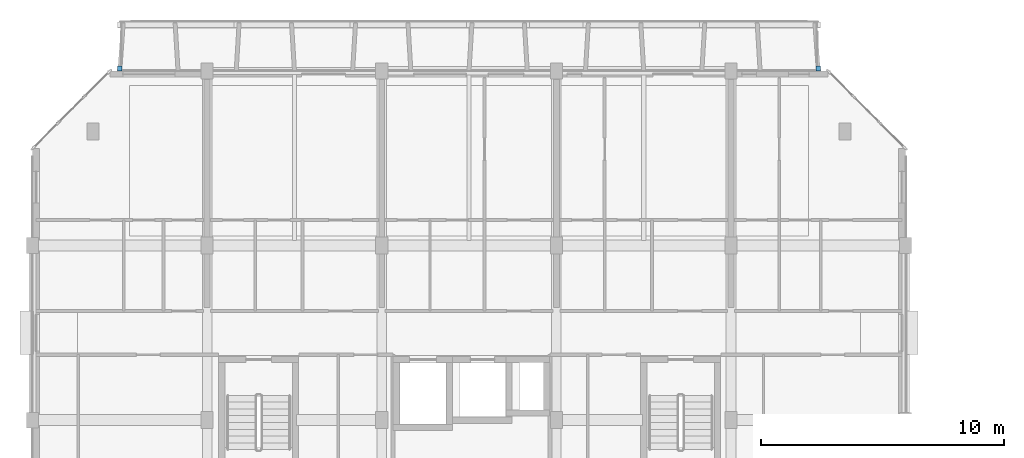
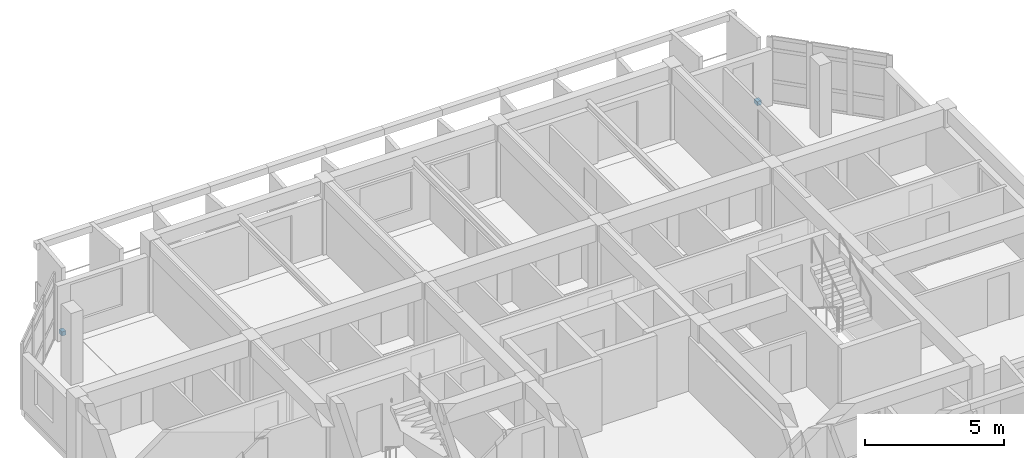
# One storey, part 38 of 51: 2 discrete accessories.
"""IFC4 building model written with IfcOpenShell, lengths in metres."""

from ifc_helpers import new_model, si_unit, direction, frame, origin, origin_2d, place, context, subcontext, project, spatial, rectangle, extrude, material, type_object, element, save


model = new_model("IFC4")

# Units and contexts
model_context = context("Model", 3, precision=1e-05, world=origin(), true_north=direction((0.0, 1.0)))
body_context = subcontext(model_context, "Body", "Model", "MODEL_VIEW")
ifc_project = project(units=[si_unit("LENGTHUNIT", "METRE"), si_unit("AREAUNIT", "SQUARE_METRE"), si_unit("VOLUMEUNIT", "CUBIC_METRE"), si_unit("PLANEANGLEUNIT", "RADIAN"), si_unit("MASSUNIT", "GRAM", prefix="KILO")], contexts=[model_context])

# Site, building, storey
site_placement = place(None, origin())
site = spatial("IfcSite", under=ifc_project, at=site_placement, CompositionType="ELEMENT")
building_placement = place(site_placement, origin())
building = spatial("IfcBuilding", under=site, at=building_placement, Name="Ochrevale Crest", CompositionType="ELEMENT")
storey_placement = place(building_placement, frame((0.0, 0.0, 11.85009765625)))
storey = spatial("IfcBuildingStorey", under=building, at=storey_placement, Name="L03", CompositionType="ELEMENT", Elevation=11.85009765625)

# Discrete accessories
ifc_material = material(Name="Galvanised steel", Category="steel")
discrete_accessory_type = type_object("IfcDiscreteAccessoryType", Name="ACC-BRK-HC", PredefinedType="BRACKET", material=ifc_material)
for number, where, z_axis, x_axis, name in (
    (1, (3.60009765625, 93.699951171875, 0.0), (0.0, 0.0, 1.0), (1.0, 0.0, 0.0), "Block B L03 precast loggia corbel bracket"),
    (2, (32.39990234375, 93.699951171875, 0.0), (0.0, 0.0, 1.0), (1.0, 0.0, 0.0), "Block B L03 precast loggia corbel bracket"),
):
    element("IfcDiscreteAccessory", number, at=place(storey_placement, frame(where, z_axis=z_axis, x_axis=x_axis)), inside=storey, type_object=discrete_accessory_type, Name=name, PredefinedType="BRACKET", context=body_context, shape_type="SweptSolid", body=[
        extrude(rectangle(XDim=0.179931640625, YDim=0.219970703125, at=origin_2d()), origin(), (0.0, 0.0, 1.0), 0.179931640625),
    ])

save(model, "model.ifc")
